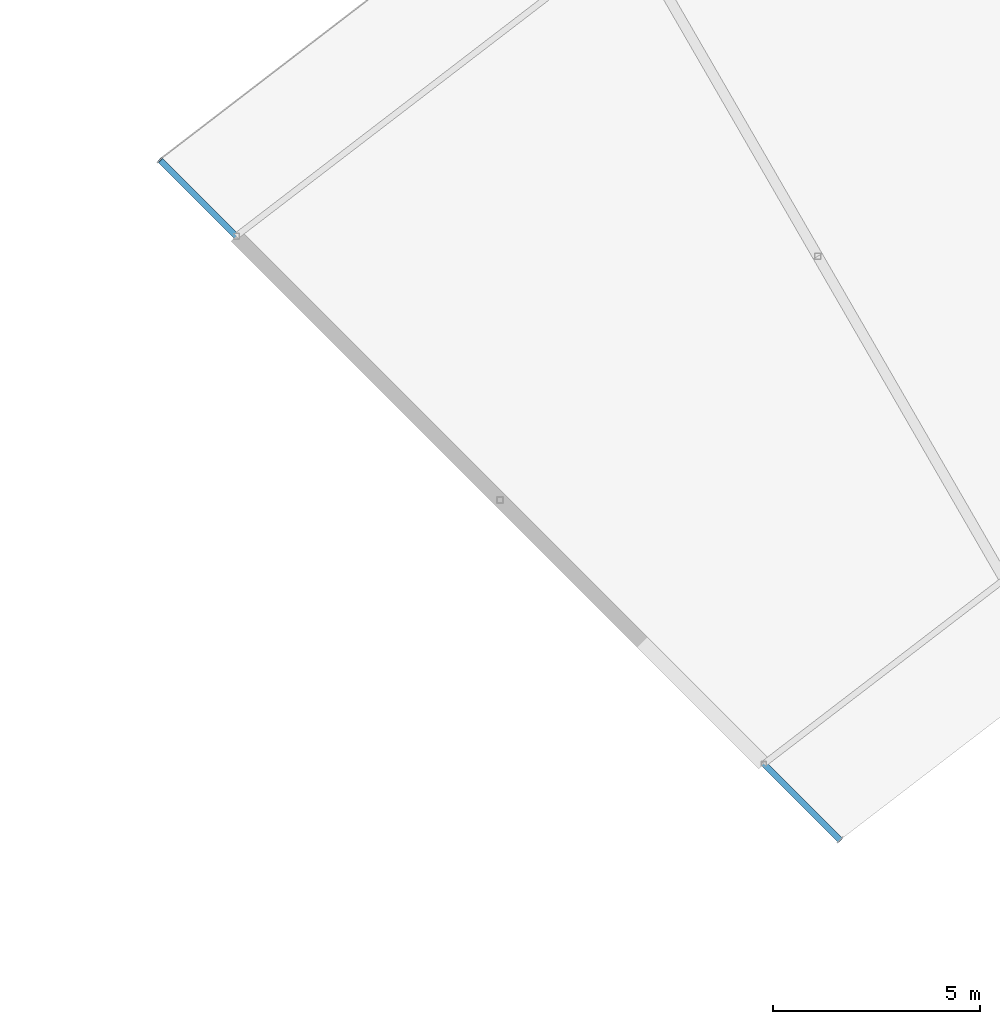
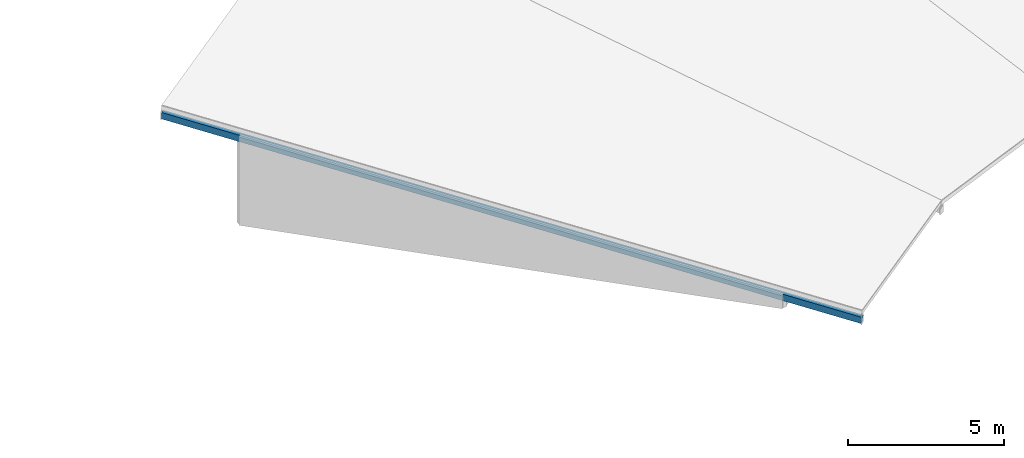
# One storey, part 13 of 70: 1 member.
"""IFC4 building model written with IfcOpenShell, lengths in metres."""

import ifcopenshell
import ifcopenshell.guid

model = None  # the IFC model being written
_history = None  # IfcOwnerHistory: only IFC2X3 demands one
_inside = {}  # id of a spatial element -> (the spatial element, [elements in it])
_under = {}  # id of a project, library or spatial element -> (it, [spatial elements below it])
_declared = {}  # id of a project -> (the project, [libraries it declares])
_typed = {}  # id of a type object -> (the type object, [elements of that type])
_made_of = {}  # id of a material, layer set ... -> (it, [elements and type objects made of it])


def new_model(schema):
    """Start an empty IFC model of exactly this schema.

    Asked for "IFC4X3", IfcOpenShell would pick the latest addendum, in which some entities
    have other attributes; the version numbers below select the first issue.
    IFC2X3 requires an IfcOwnerHistory on every rooted entity: one is made here for all.
    """
    global model, _history
    if schema == "IFC4X3":
        model = ifcopenshell.file(schema_version=(4, 3, 0, 0))
    else:
        model = ifcopenshell.file(schema=schema)
    _inside.clear()
    _under.clear()
    _declared.clear()
    _typed.clear()
    _made_of.clear()
    _history = None
    if model.schema == "IFC2X3":
        org = make("IfcOrganization", Name="unknown")
        user = make(
            "IfcPersonAndOrganization",
            ThePerson=make("IfcPerson", FamilyName="unknown"),
            TheOrganization=org,
        )
        app = make(
            "IfcApplication",
            ApplicationDeveloper=org,
            Version="unknown",
            ApplicationFullName="unknown",
            ApplicationIdentifier="unknown",
        )
        _history = make(
            "IfcOwnerHistory",
            OwningUser=user,
            OwningApplication=app,
            ChangeAction="ADDED",
            CreationDate=0,
        )
    return model


def make(cls, **values):
    """One entity of the class cls with the attributes given. An attribute that is None is left unset."""
    return model.create_entity(
        cls, **{name: value for name, value in values.items() if value is not None}
    )


def rooted(cls, **values):
    """An entity with a GlobalId (a new one), such as an element, a storey or a relation."""
    return make(cls, GlobalId=ifcopenshell.guid.new(), OwnerHistory=_history, **values)


def si_unit(unit_type, name, prefix=None):
    """IfcSIUnit, for example si_unit("LENGTHUNIT", "METRE", prefix="MILLI")."""
    return make("IfcSIUnit", UnitType=unit_type, Prefix=prefix, Name=name)


def assignment(units):
    """IfcUnitAssignment: the units of a project."""
    return None if units is None else make("IfcUnitAssignment", Units=units)


def point(xyz):
    """IfcCartesianPoint."""
    return None if xyz is None else make("IfcCartesianPoint", Coordinates=xyz)


def direction(xyz):
    """IfcDirection."""
    return None if xyz is None else make("IfcDirection", DirectionRatios=xyz)


def frame(location, z_axis=None, x_axis=None):
    """IfcAxis2Placement3D, a coordinate frame: its origin and axes. An axis left out is left unset."""
    return make(
        "IfcAxis2Placement3D",
        Location=point(location),
        Axis=direction(z_axis),
        RefDirection=direction(x_axis),
    )


def frame_2d(location, x_axis=None):
    """IfcAxis2Placement2D, a coordinate frame in the plane: its origin and x axis."""
    return make(
        "IfcAxis2Placement2D", Location=point(location), RefDirection=direction(x_axis)
    )


def origin():
    """The frame at (0, 0, 0) with its axes left unset."""
    return frame((0.0, 0.0, 0.0))


def origin_2d():
    """The frame at (0, 0) in the plane with its x axis left unset."""
    return frame_2d((0.0, 0.0))


def place(relative_to, where):
    """IfcLocalPlacement: puts the frame where relative to a parent placement (None: the world)."""
    return make(
        "IfcLocalPlacement", PlacementRelTo=relative_to, RelativePlacement=where
    )


def context(
    kind, dimensions, precision=None, world=None, true_north=None, identifier=None
):
    """IfcGeometricRepresentationContext, for example the 3D "Model" context."""
    return make(
        "IfcGeometricRepresentationContext",
        ContextIdentifier=identifier,
        ContextType=kind,
        CoordinateSpaceDimension=dimensions,
        Precision=precision,
        WorldCoordinateSystem=world,
        TrueNorth=true_north,
    )


def subcontext(parent, identifier, kind, view, scale=None):
    """IfcGeometricRepresentationSubContext, for example "Body" below "Model"."""
    return make(
        "IfcGeometricRepresentationSubContext",
        ContextIdentifier=identifier,
        ContextType=kind,
        ParentContext=parent,
        TargetScale=scale,
        TargetView=view,
    )


def project(units=None, contexts=None):
    """IfcProject with its units and contexts."""
    return rooted(
        "IfcProject",
        Name="project",
        RepresentationContexts=contexts,
        UnitsInContext=assignment(units),
    )


def spatial(cls, under=None, at=None, **own):
    """A site, building, storey or space (cls), placed at a placement, below another one or the project."""
    s = rooted(cls, ObjectPlacement=at, **own)
    if under is not None:
        _under.setdefault(under.id(), (under, []))[1].append(s)
    return s


def profile(cls, at=None, kind="AREA", **sizes):
    """A parametric profile (cls). Its sizes go by their IFC names, for example OverallWidth=200.0."""
    return make(cls, ProfileType=kind, Position=at, **sizes)


def hollow_rectangle(**sizes):
    """IfcRectangleHollowProfileDef."""
    return profile("IfcRectangleHollowProfileDef", **sizes)


def extrude(swept, where, along, depth):
    """IfcExtrudedAreaSolid: the profile swept, set in the frame where, extruded along a direction by depth."""
    return make(
        "IfcExtrudedAreaSolid",
        SweptArea=swept,
        Position=where,
        ExtrudedDirection=direction(along),
        Depth=depth,
    )


def shape(context_of_items, identifier, shape_type, items):
    """IfcShapeRepresentation: the items that make up one representation, for example the "Body"."""
    return make(
        "IfcShapeRepresentation",
        ContextOfItems=context_of_items,
        RepresentationIdentifier=identifier,
        RepresentationType=shape_type,
        Items=items,
    )


def material(Name=None, Category=None):
    """IfcMaterial."""
    return make("IfcMaterial", Name=Name, Category=Category)


def material_profile(
    of_material, cross_section, Name=None, Category=None, Priority=None
):
    """IfcMaterialProfile: a cross section and its material."""
    return make(
        "IfcMaterialProfile",
        Name=Name,
        Material=of_material,
        Profile=cross_section,
        Priority=Priority,
        Category=Category,
    )


def profile_set(profiles, Name=None, composite=None):
    """IfcMaterialProfileSet."""
    return make(
        "IfcMaterialProfileSet",
        Name=Name,
        MaterialProfiles=profiles,
        CompositeProfile=composite,
    )


def made_of(thing, what):
    """Note that an element or type object is made of a material, layer set ...; save() writes the relation."""
    if what is not None:
        _made_of.setdefault(what.id(), (what, []))[1].append(thing)
    return thing


def type_object(cls, material=None, **own):
    """A type object (cls), such as IfcWallType, which elements share."""
    return made_of(rooted(cls, **own), material)


def element(
    cls,
    number,
    at=None,
    inside=None,
    cuts=None,
    type_object=None,
    material=None,
    context=None,
    identifier="Body",
    shape_type=None,
    held_by="IfcProductDefinitionShape",
    body=None,
    shapes=None,
    **own,
):
    """One element of the class cls, such as IfcWall. Its Tag is "e" and its number.

    at: its placement. inside: the storey or other place that contains it. cuts: it is an
    opening in that element (IfcRelVoidsElement). A single representation is given by context,
    identifier, shape_type and body (its items); several are given by shapes. held_by: the class
    of the entity that holds the representations. save() writes the other relations.
    """
    e = rooted(cls, Tag="e%d" % number, ObjectPlacement=at, **own)
    if body is not None:
        shapes = [shape(context, identifier, shape_type, body)]
    if shapes is not None:
        e.Representation = make(held_by, Representations=shapes)
    if inside is not None:
        _inside.setdefault(inside.id(), (inside, []))[1].append(e)
    if cuts is not None:
        rooted(
            "IfcRelVoidsElement", RelatingBuildingElement=cuts, RelatedOpeningElement=e
        )
    if type_object is not None:
        _typed.setdefault(type_object.id(), (type_object, []))[1].append(e)
    return made_of(e, material)


def aggregate(whole, parts):
    """IfcRelAggregates: a whole, such as a stair, and the parts it consists of."""
    return rooted("IfcRelAggregates", RelatingObject=whole, RelatedObjects=parts)


def save(model, path):
    """Write the relations noted so far, then the file.

    IfcRelAggregates (storeys below a building ...), IfcRelContainedInSpatialStructure (elements
    in a storey), IfcRelDefinesByType, IfcRelAssociatesMaterial and IfcRelDeclares: one each for
    every whole, place, type object, material and project.
    """
    for whole, parts in _under.values():
        aggregate(whole, parts)
    for where, things in _inside.values():
        rooted(
            "IfcRelContainedInSpatialStructure",
            RelatedElements=things,
            RelatingStructure=where,
        )
    for kind, things in _typed.values():
        rooted("IfcRelDefinesByType", RelatedObjects=things, RelatingType=kind)
    for what, things in _made_of.values():
        rooted("IfcRelAssociatesMaterial", RelatedObjects=things, RelatingMaterial=what)
    for by, libraries in _declared.values():
        rooted("IfcRelDeclares", RelatingContext=by, RelatedDefinitions=libraries)
    model.write(path)


model = new_model("IFC4")

# Units and contexts
model_context = context("Model", 3, precision=1e-05, world=origin(), true_north=direction((0.0, 1.0)))
body_context = subcontext(model_context, "Body", "Model", "MODEL_VIEW")
ifc_project = project(units=[si_unit("LENGTHUNIT", "METRE"), si_unit("AREAUNIT", "SQUARE_METRE"), si_unit("VOLUMEUNIT", "CUBIC_METRE"), si_unit("PLANEANGLEUNIT", "RADIAN"), si_unit("MASSUNIT", "GRAM", prefix="KILO")], contexts=[model_context])

# Site, building, storey
site_placement = place(None, origin())
site = spatial("IfcSite", under=ifc_project, at=site_placement, CompositionType="ELEMENT")
building_placement = place(site_placement, origin())
building = spatial("IfcBuilding", under=site, at=building_placement, Name="Vondelvale Polytechnic", CompositionType="ELEMENT")
storey_placement = place(building_placement, frame((0.0, 0.0, 22.199951171875)))
storey = spatial("IfcBuildingStorey", under=building, at=storey_placement, Name="L05", CompositionType="ELEMENT", Elevation=22.199951171875)

# Member
ifc_material = material(Name="Steel C350L0 (fy = 350 MPa)", Category="steel")
ifc_material_profile = material_profile(ifc_material, hollow_rectangle(XDim=0.14990234375, YDim=0.25, WallThickness=0.006103515625, at=origin_2d()), Name="250x150x6.0RHS")
ifc_profile_set = profile_set([ifc_material_profile], Name="Steel C350L0 (fy = 350 MPa)")
member_type = type_object("IfcMemberType", Name="RAFTER RHS250", PredefinedType="RAFTER", material=ifc_profile_set)
member_placement = place(storey_placement, frame((67.634521484375, 106.365478515625, 3.765869140625), z_axis=(0.697808205371, -0.697808205371, -0.161639775528), x_axis=(0.707106781187, 0.707106781187, 0.0)))
element("IfcMember", 1, at=member_placement, inside=storey, type_object=member_type, Name="Ring step inward-sloping rafter 08", PredefinedType="RAFTER", context=body_context, shape_type="SweptSolid", body=[
    extrude(hollow_rectangle(XDim=0.14990234375, YDim=0.25, WallThickness=0.006103515625, at=origin_2d()), origin(), (0.0, 0.0, 1.0), 23.50927734375),
])

save(model, "model.ifc")
